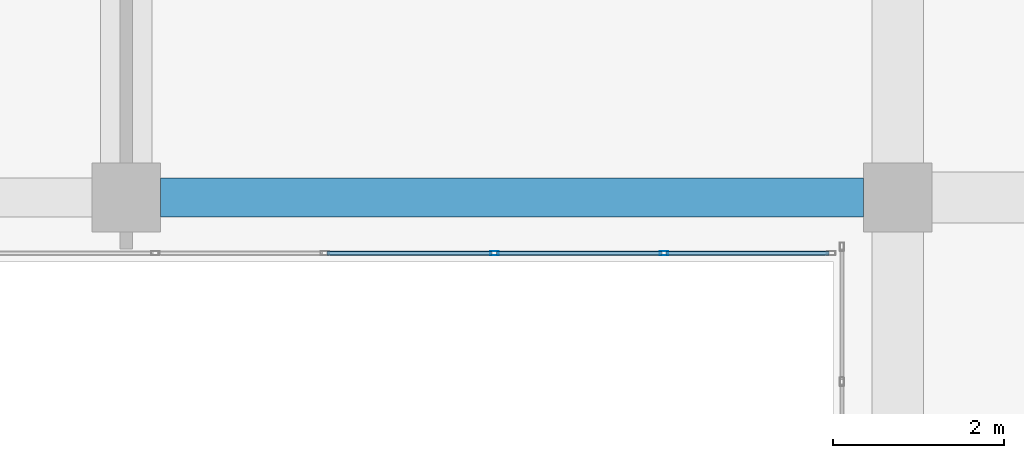
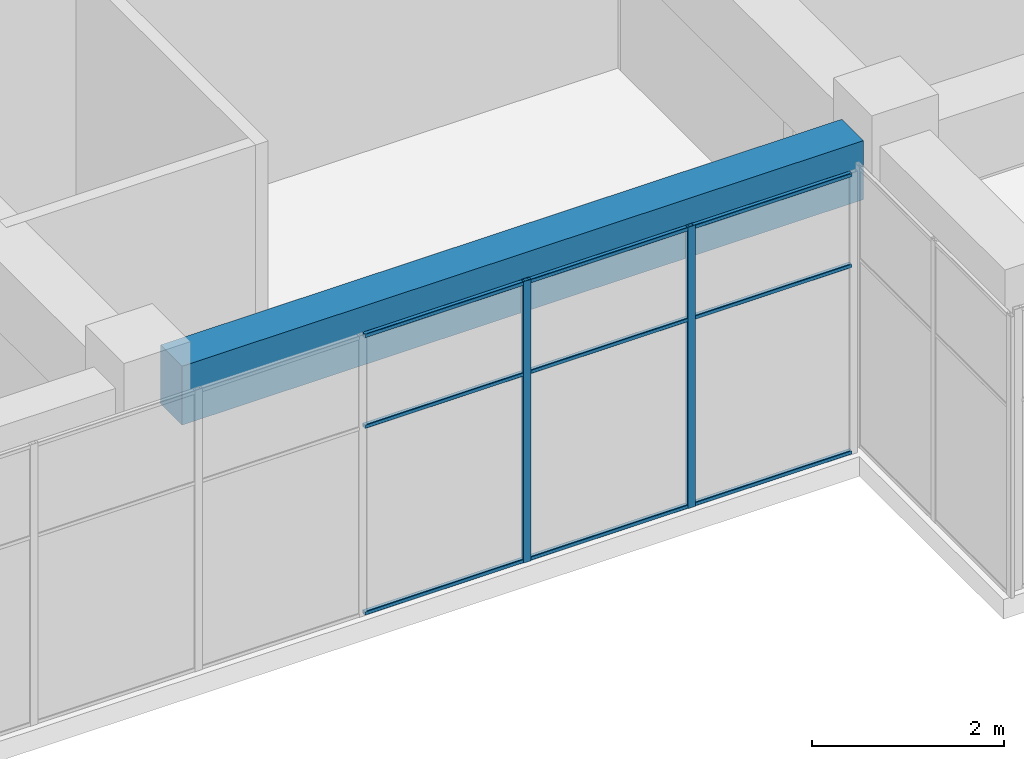
# One storey, part 16 of 52: 11 members, 1 beam, 1 element without a shape of its own.
"""IFC4 building model written with IfcOpenShell, lengths in metres."""

from ifc_helpers import new_model, si_unit, direction, frame, origin, origin_2d, place, context, subcontext, project, spatial, rectangle, hollow_rectangle, extrude, material, layer, layer_set, material_profile, profile_set, type_object, element, aggregate, save


model = new_model("IFC4")

# Units and contexts
model_context = context("Model", 3, precision=1e-05, world=origin(), true_north=direction((0.0, 1.0)))
body_context = subcontext(model_context, "Body", "Model", "MODEL_VIEW")
ifc_project = project(units=[si_unit("LENGTHUNIT", "METRE"), si_unit("AREAUNIT", "SQUARE_METRE"), si_unit("VOLUMEUNIT", "CUBIC_METRE"), si_unit("PLANEANGLEUNIT", "RADIAN"), si_unit("MASSUNIT", "GRAM", prefix="KILO")], contexts=[model_context])

# Site, building, storey
site_placement = place(None, origin())
site = spatial("IfcSite", under=ifc_project, at=site_placement, CompositionType="ELEMENT")
building_placement = place(site_placement, origin())
building = spatial("IfcBuilding", under=site, at=building_placement, Name="Tuart Plaza Theatre", CompositionType="ELEMENT")
storey_placement = place(building_placement, frame((0.0, 0.0, 25.5)))
storey = spatial("IfcBuildingStorey", under=building, at=storey_placement, Name="L06", CompositionType="ELEMENT", Elevation=25.5)

# Beam
ifc_material_1 = material(Name="Concrete N40 (40 MPa)", Category="concrete")
ifc_material_profile_1 = material_profile(ifc_material_1, rectangle(XDim=0.449951171875, YDim=0.75, at=origin_2d()), Name="BEAM 450x750 Concrete N40 (40 MPa)")
ifc_profile_set_1 = profile_set([ifc_material_profile_1], Name="Concrete N40 (40 MPa)")
beam_type = type_object("IfcBeamType", Name="BEAM 450x750 Concrete N40 (40 MPa)", PredefinedType="BEAM", material=ifc_profile_set_1)
beam_placement = place(storey_placement, frame((123.39990234375, 56.0, 3.205078125), z_axis=(1.0, 0.0, 0.0), x_axis=(0.0, 1.0, 0.0)))
element("IfcBeam", 1, at=beam_placement, inside=storey, type_object=beam_type, Name="RB217", PredefinedType="BEAM", context=body_context, shape_type="SweptSolid", body=[
    extrude(rectangle(XDim=0.449951171875, YDim=0.75, at=origin_2d()), origin(), (0.0, 0.0, 1.0), 8.2001953125),
])

# Curtain wall, members
ifc_material_2 = material(Name="Aluminium and glass", Category="aluminium")
ifc_layer = layer(ifc_material_2, 0.10009765625)
ifc_layer_set = layer_set([ifc_layer], Name="CURTAIN WALL 2000 module")
curtain_wall_type = type_object("IfcCurtainWallType", Name="CURTAIN WALL 2000 module", PredefinedType="NOTDEFINED", material=ifc_layer_set)
curtain_wall_placement = place(storey_placement, origin())
curtain_wall = element("IfcCurtainWall", 2, at=curtain_wall_placement, inside=storey, type_object=curtain_wall_type, Name="CW87", PredefinedType="NOTDEFINED")
ifc_material_3 = material(Name="Aluminium 6063-T5", Category="aluminium")
ifc_material_profile_2 = material_profile(ifc_material_3, hollow_rectangle(XDim=0.050048828125, YDim=0.10009765625, WallThickness=0.00390625, InnerFilletRadius=0.00390625, OuterFilletRadius=0.008056640625, at=origin_2d()), Name="RHS 100x50x4")
ifc_profile_set_2 = profile_set([ifc_material_profile_2], Name="Aluminium 6063-T5")
member_type_1 = type_object("IfcMemberType", Name="MULLION RHS 100x50x4", PredefinedType="MULLION", material=ifc_profile_set_2)
member_1_placement = place(storey_placement, frame((127.29443359375, 55.35009765625, 0.0), z_axis=(0.0, 0.0, 1.0), x_axis=(0.0, 1.0, 0.0)))
member_1 = element("IfcMember", 3, at=member_1_placement, type_object=member_type_1, Name="CW87 mullion 8", PredefinedType="MULLION", context=body_context, shape_type="SweptSolid", body=[
    extrude(hollow_rectangle(XDim=0.050048828125, YDim=0.10009765625, WallThickness=0.00390625, InnerFilletRadius=0.00390625, OuterFilletRadius=0.008056640625, at=origin_2d()), origin(), (0.0, 0.0, 1.0), 3.580078125),
])
member_2_placement = place(storey_placement, frame((129.272216796875, 55.35009765625, 0.0), z_axis=(0.0, 0.0, 1.0), x_axis=(0.0, 1.0, 0.0)))
member_2 = element("IfcMember", 4, at=member_2_placement, type_object=member_type_1, Name="CW87 mullion 9", PredefinedType="MULLION", context=body_context, shape_type="SweptSolid", body=[
    extrude(hollow_rectangle(XDim=0.050048828125, YDim=0.10009765625, WallThickness=0.00390625, InnerFilletRadius=0.00390625, OuterFilletRadius=0.008056640625, at=origin_2d()), origin(), (0.0, 0.0, 1.0), 3.580078125),
])
ifc_material_4 = material(Name="Aluminium 6063-T5", Category="aluminium")
ifc_material_profile_3 = material_profile(ifc_material_4, hollow_rectangle(XDim=0.050048828125, YDim=0.050048828125, WallThickness=0.00390625, InnerFilletRadius=0.00390625, OuterFilletRadius=0.008056640625, at=origin_2d()), Name="RHS 50x50x4")
ifc_profile_set_3 = profile_set([ifc_material_profile_3], Name="Aluminium 6063-T5")
member_type_2 = type_object("IfcMemberType", Name="TRANSOM RHS 50x50x4", PredefinedType="USERDEFINED", material=ifc_profile_set_3)
member_3_placement = place(storey_placement, frame((125.341552734375, 55.35009765625, 0.02490234375), z_axis=(1.0, 0.0, 0.0), x_axis=(0.0, 1.0, 0.0)))
member_3 = element("IfcMember", 5, at=member_3_placement, type_object=member_type_2, Name="CW87 transom 7.1", ObjectType="TRANSOM", PredefinedType="USERDEFINED", context=body_context, shape_type="SweptSolid", body=[
    extrude(hollow_rectangle(XDim=0.050048828125, YDim=0.050048828125, WallThickness=0.00390625, InnerFilletRadius=0.00390625, OuterFilletRadius=0.008056640625, at=origin_2d()), origin(), (0.0, 0.0, 1.0), 1.927978515625),
])
member_4_placement = place(storey_placement, frame((125.341552734375, 55.35009765625, 2.39990234375), z_axis=(1.0, 0.0, 0.0), x_axis=(0.0, 1.0, 0.0)))
member_4 = element("IfcMember", 6, at=member_4_placement, type_object=member_type_2, Name="CW87 transom 7.2", ObjectType="TRANSOM", PredefinedType="USERDEFINED", context=body_context, shape_type="SweptSolid", body=[
    extrude(hollow_rectangle(XDim=0.050048828125, YDim=0.050048828125, WallThickness=0.00390625, InnerFilletRadius=0.00390625, OuterFilletRadius=0.008056640625, at=origin_2d()), origin(), (0.0, 0.0, 1.0), 1.927978515625),
])
member_5_placement = place(storey_placement, frame((125.341552734375, 55.35009765625, 3.554931640625), z_axis=(1.0, 0.0, 0.0), x_axis=(0.0, 1.0, 0.0)))
member_5 = element("IfcMember", 7, at=member_5_placement, type_object=member_type_2, Name="CW87 transom 7.3", ObjectType="TRANSOM", PredefinedType="USERDEFINED", context=body_context, shape_type="SweptSolid", body=[
    extrude(hollow_rectangle(XDim=0.050048828125, YDim=0.050048828125, WallThickness=0.00390625, InnerFilletRadius=0.00390625, OuterFilletRadius=0.008056640625, at=origin_2d()), origin(), (0.0, 0.0, 1.0), 1.927978515625),
])
member_6_placement = place(storey_placement, frame((127.3193359375, 55.35009765625, 0.02490234375), z_axis=(1.0, 0.0, 0.0), x_axis=(0.0, 1.0, 0.0)))
member_6 = element("IfcMember", 8, at=member_6_placement, type_object=member_type_2, Name="CW87 transom 8.1", ObjectType="TRANSOM", PredefinedType="USERDEFINED", context=body_context, shape_type="SweptSolid", body=[
    extrude(hollow_rectangle(XDim=0.050048828125, YDim=0.050048828125, WallThickness=0.00390625, InnerFilletRadius=0.00390625, OuterFilletRadius=0.008056640625, at=origin_2d()), origin(), (0.0, 0.0, 1.0), 1.927978515625),
])
member_7_placement = place(storey_placement, frame((127.3193359375, 55.35009765625, 2.39990234375), z_axis=(1.0, 0.0, 0.0), x_axis=(0.0, 1.0, 0.0)))
member_7 = element("IfcMember", 9, at=member_7_placement, type_object=member_type_2, Name="CW87 transom 8.2", ObjectType="TRANSOM", PredefinedType="USERDEFINED", context=body_context, shape_type="SweptSolid", body=[
    extrude(hollow_rectangle(XDim=0.050048828125, YDim=0.050048828125, WallThickness=0.00390625, InnerFilletRadius=0.00390625, OuterFilletRadius=0.008056640625, at=origin_2d()), origin(), (0.0, 0.0, 1.0), 1.927978515625),
])
member_8_placement = place(storey_placement, frame((127.3193359375, 55.35009765625, 3.554931640625), z_axis=(1.0, 0.0, 0.0), x_axis=(0.0, 1.0, 0.0)))
member_8 = element("IfcMember", 10, at=member_8_placement, type_object=member_type_2, Name="CW87 transom 8.3", ObjectType="TRANSOM", PredefinedType="USERDEFINED", context=body_context, shape_type="SweptSolid", body=[
    extrude(hollow_rectangle(XDim=0.050048828125, YDim=0.050048828125, WallThickness=0.00390625, InnerFilletRadius=0.00390625, OuterFilletRadius=0.008056640625, at=origin_2d()), origin(), (0.0, 0.0, 1.0), 1.927978515625),
])
member_9_placement = place(storey_placement, frame((129.297119140625, 55.35009765625, 0.02490234375), z_axis=(1.0, 0.0, 0.0), x_axis=(0.0, 1.0, 0.0)))
member_9 = element("IfcMember", 11, at=member_9_placement, type_object=member_type_2, Name="CW87 transom 9.1", ObjectType="TRANSOM", PredefinedType="USERDEFINED", context=body_context, shape_type="SweptSolid", body=[
    extrude(hollow_rectangle(XDim=0.050048828125, YDim=0.050048828125, WallThickness=0.00390625, InnerFilletRadius=0.00390625, OuterFilletRadius=0.008056640625, at=origin_2d()), origin(), (0.0, 0.0, 1.0), 1.90283203125),
])
member_10_placement = place(storey_placement, frame((129.297119140625, 55.35009765625, 2.39990234375), z_axis=(1.0, 0.0, 0.0), x_axis=(0.0, 1.0, 0.0)))
member_10 = element("IfcMember", 12, at=member_10_placement, type_object=member_type_2, Name="CW87 transom 9.2", ObjectType="TRANSOM", PredefinedType="USERDEFINED", context=body_context, shape_type="SweptSolid", body=[
    extrude(hollow_rectangle(XDim=0.050048828125, YDim=0.050048828125, WallThickness=0.00390625, InnerFilletRadius=0.00390625, OuterFilletRadius=0.008056640625, at=origin_2d()), origin(), (0.0, 0.0, 1.0), 1.90283203125),
])
member_11_placement = place(storey_placement, frame((129.297119140625, 55.35009765625, 3.554931640625), z_axis=(1.0, 0.0, 0.0), x_axis=(0.0, 1.0, 0.0)))
member_11 = element("IfcMember", 13, at=member_11_placement, type_object=member_type_2, Name="CW87 transom 9.3", ObjectType="TRANSOM", PredefinedType="USERDEFINED", context=body_context, shape_type="SweptSolid", body=[
    extrude(hollow_rectangle(XDim=0.050048828125, YDim=0.050048828125, WallThickness=0.00390625, InnerFilletRadius=0.00390625, OuterFilletRadius=0.008056640625, at=origin_2d()), origin(), (0.0, 0.0, 1.0), 1.90283203125),
])
aggregate(curtain_wall, [member_1, member_2, member_3, member_4, member_5, member_6, member_7, member_8, member_9, member_10, member_11])

save(model, "model.ifc")
